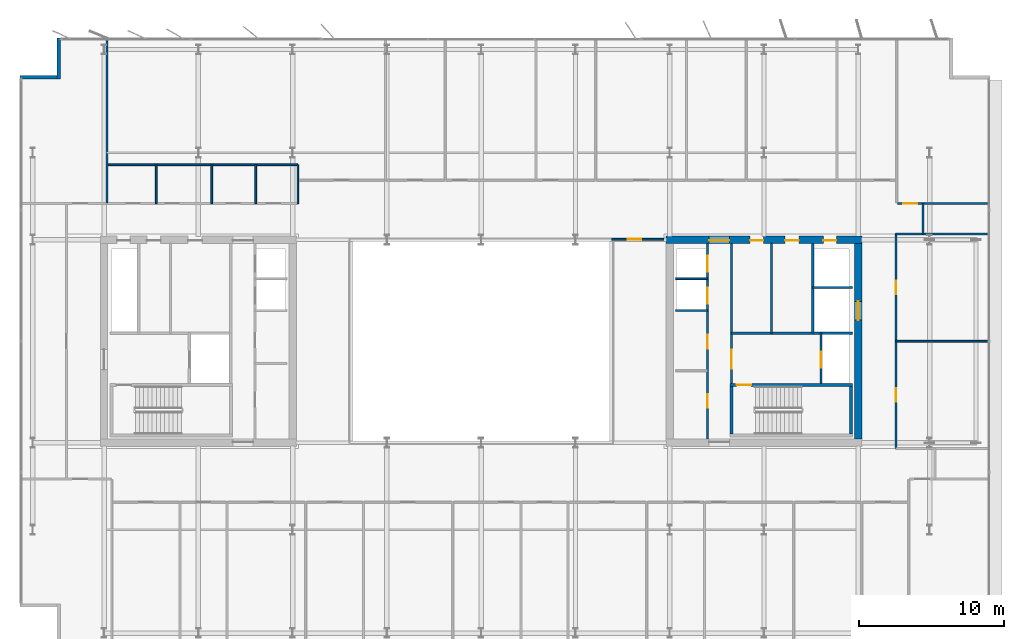
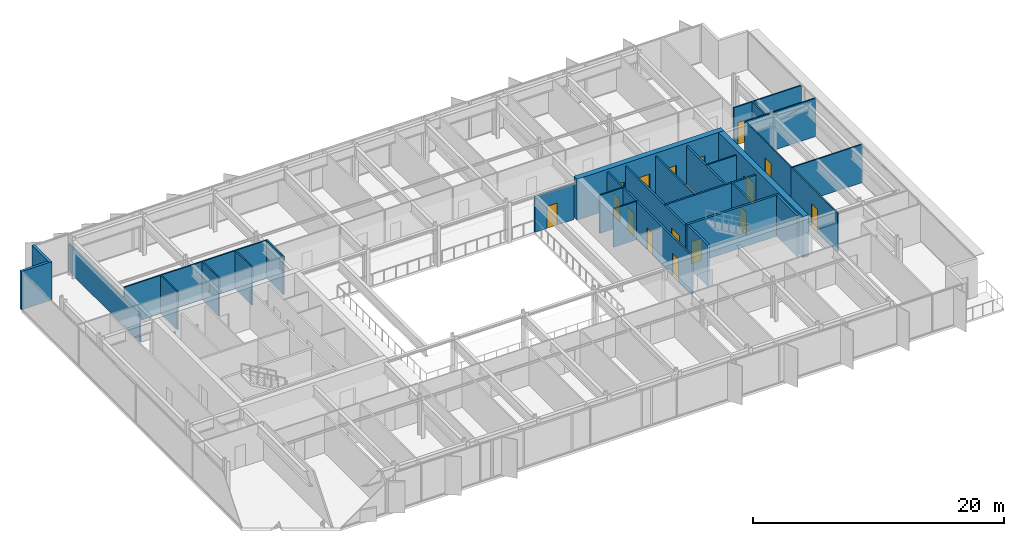
# One storey, part 15 of 20: 29 walls, 16 doors, 16 openings.
"""IFC4 building model written with IfcOpenShell, lengths in metres."""

import ifcopenshell
import ifcopenshell.guid

model = None  # the IFC model being written
_history = None  # IfcOwnerHistory: only IFC2X3 demands one
_inside = {}  # id of a spatial element -> (the spatial element, [elements in it])
_under = {}  # id of a project, library or spatial element -> (it, [spatial elements below it])
_declared = {}  # id of a project -> (the project, [libraries it declares])
_typed = {}  # id of a type object -> (the type object, [elements of that type])
_made_of = {}  # id of a material, layer set ... -> (it, [elements and type objects made of it])


def new_model(schema):
    """Start an empty IFC model of exactly this schema.

    Asked for "IFC4X3", IfcOpenShell would pick the latest addendum, in which some entities
    have other attributes; the version numbers below select the first issue.
    IFC2X3 requires an IfcOwnerHistory on every rooted entity: one is made here for all.
    """
    global model, _history
    if schema == "IFC4X3":
        model = ifcopenshell.file(schema_version=(4, 3, 0, 0))
    else:
        model = ifcopenshell.file(schema=schema)
    _inside.clear()
    _under.clear()
    _declared.clear()
    _typed.clear()
    _made_of.clear()
    _history = None
    if model.schema == "IFC2X3":
        org = make("IfcOrganization", Name="unknown")
        user = make(
            "IfcPersonAndOrganization",
            ThePerson=make("IfcPerson", FamilyName="unknown"),
            TheOrganization=org,
        )
        app = make(
            "IfcApplication",
            ApplicationDeveloper=org,
            Version="unknown",
            ApplicationFullName="unknown",
            ApplicationIdentifier="unknown",
        )
        _history = make(
            "IfcOwnerHistory",
            OwningUser=user,
            OwningApplication=app,
            ChangeAction="ADDED",
            CreationDate=0,
        )
    return model


def make(cls, **values):
    """One entity of the class cls with the attributes given. An attribute that is None is left unset."""
    return model.create_entity(
        cls, **{name: value for name, value in values.items() if value is not None}
    )


def rooted(cls, **values):
    """An entity with a GlobalId (a new one), such as an element, a storey or a relation."""
    return make(cls, GlobalId=ifcopenshell.guid.new(), OwnerHistory=_history, **values)


def si_unit(unit_type, name, prefix=None):
    """IfcSIUnit, for example si_unit("LENGTHUNIT", "METRE", prefix="MILLI")."""
    return make("IfcSIUnit", UnitType=unit_type, Prefix=prefix, Name=name)


def assignment(units):
    """IfcUnitAssignment: the units of a project."""
    return None if units is None else make("IfcUnitAssignment", Units=units)


def point(xyz):
    """IfcCartesianPoint."""
    return None if xyz is None else make("IfcCartesianPoint", Coordinates=xyz)


def direction(xyz):
    """IfcDirection."""
    return None if xyz is None else make("IfcDirection", DirectionRatios=xyz)


def frame(location, z_axis=None, x_axis=None):
    """IfcAxis2Placement3D, a coordinate frame: its origin and axes. An axis left out is left unset."""
    return make(
        "IfcAxis2Placement3D",
        Location=point(location),
        Axis=direction(z_axis),
        RefDirection=direction(x_axis),
    )


def frame_2d(location, x_axis=None):
    """IfcAxis2Placement2D, a coordinate frame in the plane: its origin and x axis."""
    return make(
        "IfcAxis2Placement2D", Location=point(location), RefDirection=direction(x_axis)
    )


def origin():
    """The frame at (0, 0, 0) with its axes left unset."""
    return frame((0.0, 0.0, 0.0))


def place(relative_to, where):
    """IfcLocalPlacement: puts the frame where relative to a parent placement (None: the world)."""
    return make(
        "IfcLocalPlacement", PlacementRelTo=relative_to, RelativePlacement=where
    )


def context(
    kind, dimensions, precision=None, world=None, true_north=None, identifier=None
):
    """IfcGeometricRepresentationContext, for example the 3D "Model" context."""
    return make(
        "IfcGeometricRepresentationContext",
        ContextIdentifier=identifier,
        ContextType=kind,
        CoordinateSpaceDimension=dimensions,
        Precision=precision,
        WorldCoordinateSystem=world,
        TrueNorth=true_north,
    )


def subcontext(parent, identifier, kind, view, scale=None):
    """IfcGeometricRepresentationSubContext, for example "Body" below "Model"."""
    return make(
        "IfcGeometricRepresentationSubContext",
        ContextIdentifier=identifier,
        ContextType=kind,
        ParentContext=parent,
        TargetScale=scale,
        TargetView=view,
    )


def project(units=None, contexts=None):
    """IfcProject with its units and contexts."""
    return rooted(
        "IfcProject",
        Name="project",
        RepresentationContexts=contexts,
        UnitsInContext=assignment(units),
    )


def spatial(cls, under=None, at=None, **own):
    """A site, building, storey or space (cls), placed at a placement, below another one or the project."""
    s = rooted(cls, ObjectPlacement=at, **own)
    if under is not None:
        _under.setdefault(under.id(), (under, []))[1].append(s)
    return s


def profile(cls, at=None, kind="AREA", **sizes):
    """A parametric profile (cls). Its sizes go by their IFC names, for example OverallWidth=200.0."""
    return make(cls, ProfileType=kind, Position=at, **sizes)


def rectangle(**sizes):
    """IfcRectangleProfileDef."""
    return profile("IfcRectangleProfileDef", **sizes)


def extrude(swept, where, along, depth):
    """IfcExtrudedAreaSolid: the profile swept, set in the frame where, extruded along a direction by depth."""
    return make(
        "IfcExtrudedAreaSolid",
        SweptArea=swept,
        Position=where,
        ExtrudedDirection=direction(along),
        Depth=depth,
    )


def shape(context_of_items, identifier, shape_type, items):
    """IfcShapeRepresentation: the items that make up one representation, for example the "Body"."""
    return make(
        "IfcShapeRepresentation",
        ContextOfItems=context_of_items,
        RepresentationIdentifier=identifier,
        RepresentationType=shape_type,
        Items=items,
    )


def material(Name=None, Category=None):
    """IfcMaterial."""
    return make("IfcMaterial", Name=Name, Category=Category)


def layer(
    of_material, thickness, ventilated=None, Name=None, Category=None, Priority=None
):
    """IfcMaterialLayer: one layer of a wall or slab, of a material (None: an air gap)."""
    return make(
        "IfcMaterialLayer",
        Material=of_material,
        LayerThickness=thickness,
        IsVentilated=ventilated,
        Name=Name,
        Category=Category,
        Priority=Priority,
    )


def layer_set(layers, Name=None):
    """IfcMaterialLayerSet."""
    return make("IfcMaterialLayerSet", MaterialLayers=layers, LayerSetName=Name)


def made_of(thing, what):
    """Note that an element or type object is made of a material, layer set ...; save() writes the relation."""
    if what is not None:
        _made_of.setdefault(what.id(), (what, []))[1].append(thing)
    return thing


def type_object(cls, material=None, **own):
    """A type object (cls), such as IfcWallType, which elements share."""
    return made_of(rooted(cls, **own), material)


def element(
    cls,
    number,
    at=None,
    inside=None,
    cuts=None,
    type_object=None,
    material=None,
    context=None,
    identifier="Body",
    shape_type=None,
    held_by="IfcProductDefinitionShape",
    body=None,
    shapes=None,
    **own,
):
    """One element of the class cls, such as IfcWall. Its Tag is "e" and its number.

    at: its placement. inside: the storey or other place that contains it. cuts: it is an
    opening in that element (IfcRelVoidsElement). A single representation is given by context,
    identifier, shape_type and body (its items); several are given by shapes. held_by: the class
    of the entity that holds the representations. save() writes the other relations.
    """
    e = rooted(cls, Tag="e%d" % number, ObjectPlacement=at, **own)
    if body is not None:
        shapes = [shape(context, identifier, shape_type, body)]
    if shapes is not None:
        e.Representation = make(held_by, Representations=shapes)
    if inside is not None:
        _inside.setdefault(inside.id(), (inside, []))[1].append(e)
    if cuts is not None:
        rooted(
            "IfcRelVoidsElement", RelatingBuildingElement=cuts, RelatedOpeningElement=e
        )
    if type_object is not None:
        _typed.setdefault(type_object.id(), (type_object, []))[1].append(e)
    return made_of(e, material)


def fill(opening, filler):
    """IfcRelFillsElement: the door or window that sits in an opening."""
    return rooted(
        "IfcRelFillsElement",
        RelatingOpeningElement=opening,
        RelatedBuildingElement=filler,
    )


def aggregate(whole, parts):
    """IfcRelAggregates: a whole, such as a stair, and the parts it consists of."""
    return rooted("IfcRelAggregates", RelatingObject=whole, RelatedObjects=parts)


def save(model, path):
    """Write the relations noted so far, then the file.

    IfcRelAggregates (storeys below a building ...), IfcRelContainedInSpatialStructure (elements
    in a storey), IfcRelDefinesByType, IfcRelAssociatesMaterial and IfcRelDeclares: one each for
    every whole, place, type object, material and project.
    """
    for whole, parts in _under.values():
        aggregate(whole, parts)
    for where, things in _inside.values():
        rooted(
            "IfcRelContainedInSpatialStructure",
            RelatedElements=things,
            RelatingStructure=where,
        )
    for kind, things in _typed.values():
        rooted("IfcRelDefinesByType", RelatedObjects=things, RelatingType=kind)
    for what, things in _made_of.values():
        rooted("IfcRelAssociatesMaterial", RelatedObjects=things, RelatingMaterial=what)
    for by, libraries in _declared.values():
        rooted("IfcRelDeclares", RelatingContext=by, RelatedDefinitions=libraries)
    model.write(path)


model = new_model("IFC4")

# Units and contexts
model_context = context("Model", 3, precision=1e-05, world=origin(), true_north=direction((0.0, 1.0)))
body_context = subcontext(model_context, "Body", "Model", "MODEL_VIEW")
ifc_project = project(units=[si_unit("LENGTHUNIT", "METRE"), si_unit("AREAUNIT", "SQUARE_METRE"), si_unit("VOLUMEUNIT", "CUBIC_METRE"), si_unit("PLANEANGLEUNIT", "RADIAN"), si_unit("MASSUNIT", "GRAM", prefix="KILO")], contexts=[model_context])

# Site, building, storey
site_placement = place(None, origin())
site = spatial("IfcSite", under=ifc_project, at=site_placement, CompositionType="ELEMENT")
building_placement = place(site_placement, origin())
building = spatial("IfcBuilding", under=site, at=building_placement, Name="Putna Gate Headquarters", CompositionType="ELEMENT")
storey_placement = place(building_placement, frame((0.0, 0.0, 306.39990234375)))
storey = spatial("IfcBuildingStorey", under=building, at=storey_placement, Name="L77", CompositionType="ELEMENT", Elevation=306.39990234375)

# Wall, openings, doors
ifc_material_1 = material(Name="Concrete C50/60", Category="concrete")
ifc_layer_1 = layer(ifc_material_1, 0.5)
ifc_layer_set_1 = layer_set([ifc_layer_1], Name="Concrete C50/60")
wall_type_1 = type_object("IfcWallType", Name="WALL-CORE-500", PredefinedType="SHEAR", material=ifc_layer_set_1)
wall_1_placement = place(storey_placement, frame((51.75, 33.0, 0.0), z_axis=(0.0, 0.0, 1.0), x_axis=(1.0, 0.0, 0.0)))
wall_1 = element("IfcWall", 1, at=wall_1_placement, inside=storey, type_object=wall_type_1, Name="L77 EC Split Core Shear Wall N", PredefinedType="SHEAR", context=body_context, shape_type="SweptSolid", body=[
    extrude(rectangle(XDim=13.5, YDim=0.5, at=frame_2d((6.75, 0.0))), origin(), (0.0, 0.0, 1.0), 4.0),
])
opening_1_placement = place(wall_1_placement, frame((2.969970703125, 0.0, 0.0)))
opening_1 = element("IfcOpeningElement", 2, at=opening_1_placement, cuts=wall_1, Name="Opening FDD-140", PredefinedType="OPENING", context=body_context, shape_type="SweptSolid", body=[
    extrude(rectangle(XDim=1.39990234375, YDim=2.199951171875, at=frame_2d((0.699951171875, 1.10009765625))), frame((0.0, 0.260009765625, 0.0), z_axis=(0.0, -1.0, 0.0), x_axis=(1.0, 0.0, 0.0)), (0.0, 0.0, 1.0), 0.52001953125),
])
opening_2_placement = place(wall_1_placement, frame((10.85009765625, 0.0, 0.0)))
opening_2 = element("IfcOpeningElement", 3, at=opening_2_placement, cuts=wall_1, Name="Opening RD-90", PredefinedType="OPENING", context=body_context, shape_type="SweptSolid", body=[
    extrude(rectangle(XDim=0.89990234375, YDim=2.14990234375, at=frame_2d((0.449951171875, 1.074951171875))), frame((0.0, 0.260009765625, 0.0), z_axis=(0.0, -1.0, 0.0), x_axis=(1.0, 0.0, 0.0)), (0.0, 0.0, 1.0), 0.52001953125),
])
opening_3_placement = place(wall_1_placement, frame((5.800048828125, 0.0, 0.0)))
opening_3 = element("IfcOpeningElement", 4, at=opening_3_placement, cuts=wall_1, Name="Opening IDS-90", PredefinedType="OPENING", context=body_context, shape_type="SweptSolid", body=[
    extrude(rectangle(XDim=0.89990234375, YDim=2.14990234375, at=frame_2d((0.449951171875, 1.074951171875))), frame((0.0, 0.260009765625, 0.0), z_axis=(0.0, -1.0, 0.0), x_axis=(1.0, 0.0, 0.0)), (0.0, 0.0, 1.0), 0.52001953125),
])
opening_4_placement = place(wall_1_placement, frame((8.199951171875, 0.0, 0.0)))
opening_4 = element("IfcOpeningElement", 5, at=opening_4_placement, cuts=wall_1, Name="Opening IDS-95", PredefinedType="OPENING", context=body_context, shape_type="SweptSolid", body=[
    extrude(rectangle(XDim=0.949951171875, YDim=2.14990234375, at=frame_2d((0.47509765625, 1.074951171875))), frame((0.0, 0.260009765625, 0.0), z_axis=(0.0, -1.0, 0.0), x_axis=(1.0, 0.0, 0.0)), (0.0, 0.0, 1.0), 0.52001953125),
])
ifc_material_2 = material(Name="Double steel fire door", Category="steel")
door_type_1 = type_object("IfcDoorType", Name="DOOR-FIRE-DBL-1400", OperationType="DOUBLE_DOOR_SINGLE_SWING", PredefinedType="DOOR", material=ifc_material_2)
door_1_placement = place(opening_1_placement, origin())
door_1 = element("IfcDoor", 6, at=door_1_placement, inside=storey, type_object=door_type_1, Name="L77 East Lift Lobby North Door", OperationType="DOUBLE_DOOR_SINGLE_SWING", OverallHeight=2.199951171875, OverallWidth=1.39990234375, PredefinedType="DOOR", context=body_context, shape_type="SweptSolid", body=[
    extrude(rectangle(XDim=1.39990234375, YDim=2.199951171875, at=frame_2d((0.699951171875, 1.10009765625))), frame((0.0, -0.02490234375, 0.0), z_axis=(0.0, -1.0, 0.0), x_axis=(1.0, 0.0, 0.0)), (0.0, 0.0, 1.0), 0.050048828125),
])
fill(opening_1, door_1)
ifc_material_3 = material(Name="Fire-rated utility door")
door_type_2 = type_object("IfcDoorType", Name="DOOR-INT-900", OperationType="NOTDEFINED", PredefinedType="DOOR", material=ifc_material_3)
door_2_placement = place(opening_3_placement, origin())
door_2 = element("IfcDoor", 7, at=door_2_placement, inside=storey, type_object=door_type_2, Name="L77 Telecoms Plant Door", OperationType="SINGLE_SWING_LEFT", OverallHeight=2.14990234375, OverallWidth=0.89990234375, PredefinedType="DOOR", context=body_context, shape_type="SweptSolid", body=[
    extrude(rectangle(XDim=0.89990234375, YDim=2.14990234375, at=frame_2d((0.449951171875, 1.074951171875))), frame((0.0, -0.02490234375, 0.0), z_axis=(0.0, -1.0, 0.0), x_axis=(1.0, 0.0, 0.0)), (0.0, 0.0, 1.0), 0.050048828125),
])
fill(opening_3, door_2)
ifc_material_4 = material(Name="Fire-rated service timber door", Category="wood")
door_type_3 = type_object("IfcDoorType", Name="DOOR-INT-950", OperationType="NOTDEFINED", PredefinedType="DOOR", material=ifc_material_4)
door_3_placement = place(opening_4_placement, origin())
door_3 = element("IfcDoor", 8, at=door_3_placement, inside=storey, type_object=door_type_3, Name="L77 Supplies Store Door", OperationType="SINGLE_SWING_RIGHT", OverallHeight=2.14990234375, OverallWidth=0.949951171875, PredefinedType="DOOR", context=body_context, shape_type="SweptSolid", body=[
    extrude(rectangle(XDim=0.949951171875, YDim=2.14990234375, at=frame_2d((0.47509765625, 1.074951171875))), frame((0.0, -0.02490234375, 0.0), z_axis=(0.0, -1.0, 0.0), x_axis=(1.0, 0.0, 0.0)), (0.0, 0.0, 1.0), 0.050048828125),
])
fill(opening_4, door_3)
ifc_material_5 = material(Name="Steel riser access fire door", Category="steel")
door_type_4 = type_object("IfcDoorType", Name="DOOR-RISER-900", OperationType="NOTDEFINED", PredefinedType="DOOR", material=ifc_material_5)
door_4_placement = place(opening_2_placement, origin())
door_4 = element("IfcDoor", 9, at=door_4_placement, inside=storey, type_object=door_type_4, Name="L77 East Riser Access Door", OperationType="SINGLE_SWING_LEFT", OverallHeight=2.14990234375, OverallWidth=0.89990234375, PredefinedType="DOOR", context=body_context, shape_type="SweptSolid", body=[
    extrude(rectangle(XDim=0.89990234375, YDim=2.14990234375, at=frame_2d((0.449951171875, 1.074951171875))), frame((0.0, -0.02490234375, 0.0), z_axis=(0.0, -1.0, 0.0), x_axis=(1.0, 0.0, 0.0)), (0.0, 0.0, 1.0), 0.050048828125),
])
fill(opening_2, door_4)

# Wall, opening, door
wall_2_placement = place(storey_placement, frame((65.0, 19.25, 0.0), z_axis=(0.0, 0.0, 1.0), x_axis=(0.0, 1.0, 0.0)))
wall_2 = element("IfcWall", 10, at=wall_2_placement, inside=storey, type_object=wall_type_1, Name="L77 EC Split Core Shear Wall E", PredefinedType="SHEAR", context=body_context, shape_type="SweptSolid", body=[
    extrude(rectangle(XDim=13.5, YDim=0.5, at=frame_2d((6.75, 0.0))), origin(), (0.0, 0.0, 1.0), 4.0),
])
opening_5_placement = place(wall_2_placement, frame((8.199951171875, 0.0, 0.0)))
opening_5 = element("IfcOpeningElement", 11, at=opening_5_placement, cuts=wall_2, Name="Opening LD-2", PredefinedType="OPENING", context=body_context, shape_type="SweptSolid", body=[
    extrude(rectangle(XDim=1.300048828125, YDim=2.199951171875, at=frame_2d((0.64990234375, 1.10009765625))), frame((0.0, 0.260009765625, 0.0), z_axis=(0.0, -1.0, 0.0), x_axis=(1.0, 0.0, 0.0)), (0.0, 0.0, 1.0), 0.52001953125),
])
ifc_material_6 = material(Name="Heavy-duty goods lift sliding landing door")
door_type_5 = type_object("IfcDoorType", Name="DOOR-LIFT-1300", OperationType="DOUBLE_DOOR_SLIDING", PredefinedType="DOOR", material=ifc_material_6)
door_5_placement = place(opening_5_placement, origin())
door_5 = element("IfcDoor", 12, at=door_5_placement, inside=storey, type_object=door_type_5, Name="L77 Goods Lift Landing Door LD-15", OperationType="DOUBLE_DOOR_SLIDING", OverallHeight=2.199951171875, OverallWidth=1.300048828125, PredefinedType="DOOR", context=body_context, shape_type="SweptSolid", body=[
    extrude(rectangle(XDim=1.300048828125, YDim=2.199951171875, at=frame_2d((0.64990234375, 1.10009765625))), frame((0.0, 0.02490234375, 0.0), z_axis=(0.0, -1.0, 0.0), x_axis=(1.0, 0.0, 0.0)), (0.0, 0.0, 1.0), 0.050048828125),
])
fill(opening_5, door_5)

# Walls
ifc_material_7 = material(Name="Precast concrete C40/50", Category="concrete")
ifc_layer_2 = layer(ifc_material_7, 0.239990234375)
ifc_layer_set_2 = layer_set([ifc_layer_2], Name="Precast concrete C40/50")
wall_type_2 = type_object("IfcWallType", Name="WALL-EXT-TERR-240", PredefinedType="STANDARD", material=ifc_layer_set_2)
wall_3_placement = place(storey_placement, frame((9.8798828125, 44.10009765625, 0.0), z_axis=(0.0, 0.0, 1.0), x_axis=(0.0, 1.0, 0.0)))
element("IfcWall", 13, at=wall_3_placement, inside=storey, type_object=wall_type_2, Name="L77 Corner Notch Return Wall NW-V", PredefinedType="STANDARD", context=body_context, shape_type="SweptSolid", body=[
    extrude(rectangle(XDim=2.7998046875, YDim=0.239990234375, at=frame_2d((1.39990234375, 0.0))), origin(), (0.0, 0.0, 1.0), 3.72021484375),
])
wall_4_placement = place(storey_placement, frame((7.199951171875, 44.219970703125, 0.0), z_axis=(0.0, 0.0, 1.0), x_axis=(1.0, 0.0, 0.0)))
element("IfcWall", 14, at=wall_4_placement, inside=storey, type_object=wall_type_2, Name="L77 Corner Notch Return Wall NW-H", PredefinedType="STANDARD", context=body_context, shape_type="SweptSolid", body=[
    extrude(rectangle(XDim=2.800048828125, YDim=0.239990234375, at=frame_2d((1.39990234375, 0.0))), origin(), (0.0, 0.0, 1.0), 3.72021484375),
])

# Wall, opening, door
ifc_material_8 = material(Name="Acoustic gypsum board on metal stud")
ifc_layer_3 = layer(ifc_material_8, 0.1201171875)
ifc_layer_set_3 = layer_set([ifc_layer_3], Name="Acoustic gypsum board on metal stud")
wall_type_3 = type_object("IfcWallType", Name="WALL-PART-120", PredefinedType="PARTITIONING", material=ifc_layer_set_3)
wall_5_placement = place(storey_placement, frame((48.0, 33.0400390625, 0.0), z_axis=(0.0, 0.0, 1.0), x_axis=(1.0, 0.0, 0.0)))
wall_5 = element("IfcWall", 15, at=wall_5_placement, inside=storey, type_object=wall_type_3, Name="L77 Interior Wall PART-L77-ATR-E-N", PredefinedType="PARTITIONING", context=body_context, shape_type="SweptSolid", body=[
    extrude(rectangle(XDim=3.60009765625, YDim=0.1201171875, at=frame_2d((1.800048828125, 0.0))), origin(), (0.0, 0.0, 1.0), 3.460205078125),
])
opening_6_placement = place(wall_5_placement, frame((1.10009765625, 0.0, 0.0)))
opening_6 = element("IfcOpeningElement", 16, at=opening_6_placement, cuts=wall_5, Name="Opening ID-95", PredefinedType="OPENING", context=body_context, shape_type="SweptSolid", body=[
    extrude(rectangle(XDim=0.949951171875, YDim=2.14990234375, at=frame_2d((0.47509765625, 1.074951171875))), frame((0.0, 0.070068359375, 0.0), z_axis=(0.0, -1.0, 0.0), x_axis=(1.0, 0.0, 0.0)), (0.0, 0.0, 1.0), 0.14013671875),
])
ifc_material_9 = material(Name="Veneered acoustic timber door", Category="wood")
door_type_6 = type_object("IfcDoorType", Name="DOOR-OFF-950", OperationType="NOTDEFINED", PredefinedType="DOOR", material=ifc_material_9)
door_6_placement = place(opening_6_placement, origin())
door_6 = element("IfcDoor", 17, at=door_6_placement, inside=storey, type_object=door_type_6, Name="L77 East Sky Atrium Lounge Door", OperationType="SINGLE_SWING_LEFT", OverallHeight=2.14990234375, OverallWidth=0.949951171875, PredefinedType="DOOR", context=body_context, shape_type="SweptSolid", body=[
    extrude(rectangle(XDim=0.949951171875, YDim=2.14990234375, at=frame_2d((0.47509765625, 1.074951171875))), frame((0.0, 0.02490234375, 0.0), z_axis=(0.0, -1.0, 0.0), x_axis=(1.0, 0.0, 0.0)), (0.0, 0.0, 1.0), 0.050048828125),
])
fill(opening_6, door_6)

# Walls
wall_6_placement = place(storey_placement, frame((13.199951171875, 35.56005859375, 0.0), z_axis=(0.0, 0.0, 1.0), x_axis=(0.0, 1.0, 0.0)))
element("IfcWall", 18, at=wall_6_placement, inside=storey, type_object=wall_type_3, Name="L77 Interior Wall PART-L77-NB-DIV-01", PredefinedType="PARTITIONING", context=body_context, shape_type="SweptSolid", body=[
    extrude(rectangle(XDim=11.31982421875, YDim=0.1201171875, at=frame_2d((5.659912109375, 0.0))), origin(), (0.0, 0.0, 1.0), 2.712158203125),
])
wall_7_placement = place(storey_placement, frame((67.60009765625, 26.0, 0.0), z_axis=(0.0, 0.0, 1.0), x_axis=(1.0, 0.0, 0.0)))
element("IfcWall", 19, at=wall_7_placement, inside=storey, type_object=wall_type_3, Name="L77 Interior Wall PART-L77-EW-DIV-1", PredefinedType="PARTITIONING", context=body_context, shape_type="SweptSolid", body=[
    extrude(rectangle(XDim=6.47998046875, YDim=0.1201171875, at=frame_2d((3.239990234375, 0.0))), origin(), (0.0, 0.0, 1.0), 3.72021484375),
])
ifc_material_10 = material(Name="Fire-rated shaftwall gypsum board on metal stud")
ifc_layer_4 = layer(ifc_material_10, 0.1201171875)
ifc_layer_set_4 = layer_set([ifc_layer_4], Name="Fire-rated shaftwall gypsum board on metal stud")
wall_type_4 = type_object("IfcWallType", Name="WALL-PART-120-EI120", PredefinedType="PARTITIONING", material=ifc_layer_set_4)
wall_8_placement = place(storey_placement, frame((52.39990234375, 30.31005859375, 0.0), z_axis=(0.0, 0.0, 1.0), x_axis=(1.0, 0.0, 0.0)))
element("IfcWall", 20, at=wall_8_placement, inside=storey, type_object=wall_type_4, Name="L77 Interior Wall CWINT-L77-EC-LF11-DIV", PredefinedType="PARTITIONING", context=body_context, shape_type="SweptSolid", body=[
    extrude(rectangle(XDim=2.2001953125, YDim=0.1201171875, at=frame_2d((1.10009765625, 0.0))), origin(), (0.0, 0.0, 1.0), 3.72021484375),
])
wall_9_placement = place(storey_placement, frame((61.8701171875, 29.699951171875, 0.0), z_axis=(0.0, 0.0, 1.0), x_axis=(1.0, 0.0, 0.0)))
element("IfcWall", 21, at=wall_9_placement, inside=storey, type_object=wall_type_4, Name="L77 Interior Wall CWINT-L77-EC-LF15-N", PredefinedType="PARTITIONING", context=body_context, shape_type="SweptSolid", body=[
    extrude(rectangle(XDim=2.72998046875, YDim=0.1201171875, at=frame_2d((1.364990234375, 0.0))), origin(), (0.0, 0.0, 1.0), 3.72021484375),
])
ifc_material_11 = material(Name="Fire-rated gypsum board on metal stud")
ifc_layer_5 = layer(ifc_material_11, 0.1201171875)
ifc_layer_set_5 = layer_set([ifc_layer_5], Name="Fire-rated gypsum board on metal stud")
wall_type_5 = type_object("IfcWallType", Name="WALL-PART-120-RATED", PredefinedType="PARTITIONING", material=ifc_layer_set_5)
wall_10_placement = place(storey_placement, frame((52.39990234375, 28.1201171875, 0.0), z_axis=(0.0, 0.0, 1.0), x_axis=(1.0, 0.0, 0.0)))
element("IfcWall", 22, at=wall_10_placement, inside=storey, type_object=wall_type_5, Name="L77 Interior Wall CWINT-L77-EC-LF08-DIV", PredefinedType="PARTITIONING", context=body_context, shape_type="SweptSolid", body=[
    extrude(rectangle(XDim=2.2001953125, YDim=0.1201171875, at=frame_2d((1.10009765625, 0.0))), origin(), (0.0, 0.0, 1.0), 3.72021484375),
])
wall_11_placement = place(storey_placement, frame((59.02001953125, 26.56005859375, 0.0), z_axis=(0.0, 0.0, 1.0), x_axis=(0.0, 1.0, 0.0)))
element("IfcWall", 23, at=wall_11_placement, inside=storey, type_object=wall_type_5, Name="L77 Interior Wall CWINT-L77-EC-K1-DIV", PredefinedType="PARTITIONING", context=body_context, shape_type="SweptSolid", body=[
    extrude(rectangle(XDim=6.18994140625, YDim=0.1201171875, at=frame_2d((3.094970703125, 0.0))), origin(), (0.0, 0.0, 1.0), 3.72021484375),
])
wall_12_placement = place(storey_placement, frame((69.46142578125, 33.39990234375, 0.0), z_axis=(0.0, 0.0, 1.0), x_axis=(0.0, 1.0, 0.0)))
element("IfcWall", 24, at=wall_12_placement, inside=storey, type_object=wall_type_5, Name="L77 Interior Wall PART-L77-CORRN-CAPE", PredefinedType="PARTITIONING", context=body_context, shape_type="SweptSolid", body=[
    extrude(rectangle(XDim=2.10009765625, YDim=0.1201171875, at=frame_2d((1.050048828125, 0.0))), origin(), (0.0, 0.0, 1.0), 3.72021484375),
])
wall_13_placement = place(storey_placement, frame((13.199951171875, 38.179931640625, 0.0), z_axis=(0.0, 0.0, 1.0), x_axis=(1.0, 0.0, 0.0)))
element("IfcWall", 25, at=wall_13_placement, inside=storey, type_object=wall_type_5, Name="L77 Interior Wall PART-L77-SAN-BACK", PredefinedType="PARTITIONING", context=body_context, shape_type="SweptSolid", body=[
    extrude(rectangle(XDim=13.16015625, YDim=0.1201171875, at=frame_2d((6.580078125, 0.0))), origin(), (0.0, 0.0, 1.0), 3.72021484375),
])
for number, where, z_axis, x_axis, name in (
    (26, (16.60009765625, 35.5, 0.0), (0.0, 0.0, 1.0), (0.0, 1.0, 0.0), "L77 Interior Wall PART-L77-SAN-DIV-1"),
    (27, (20.419921875, 35.5, 0.0), (0.0, 0.0, 1.0), (0.0, 1.0, 0.0), "L77 Interior Wall PART-L77-SAN-DIV-2"),
    (28, (23.4599609375, 35.5, 0.0), (0.0, 0.0, 1.0), (0.0, 1.0, 0.0), "L77 Interior Wall PART-L77-SAN-DIV-3"),
    (29, (26.360107421875, 35.5, 0.0), (0.0, 0.0, 1.0), (0.0, 1.0, 0.0), "L77 Interior Wall PART-L77-SAN-DIV-4"),
):
    element("IfcWall", number, at=place(storey_placement, frame(where, z_axis=z_axis, x_axis=x_axis)), inside=storey, type_object=wall_type_5, Name=name, PredefinedType="PARTITIONING", context=body_context, shape_type="SweptSolid", body=[
        extrude(rectangle(XDim=2.679931640625, YDim=0.1201171875, at=frame_2d((1.33984375, 0.0))), origin(), (0.0, 0.0, 1.0), 3.72021484375),
    ])

# Wall, opening, door
wall_14_placement = place(storey_placement, frame((67.721435546875, 35.5, 0.0), z_axis=(0.0, 0.0, 1.0), x_axis=(1.0, 0.0, 0.0)))
wall_14 = element("IfcWall", 30, at=wall_14_placement, inside=storey, type_object=wall_type_5, Name="L77 Interior Wall PART-L77-NB-CW-10", PredefinedType="PARTITIONING", context=body_context, shape_type="SweptSolid", body=[
    extrude(rectangle(XDim=6.198486328125, YDim=0.1201171875, at=frame_2d((3.09912109375, 0.0))), origin(), (0.0, 0.0, 1.0), 3.72021484375),
])
opening_7_placement = place(wall_14_placement, frame((0.39501953125, 0.0, 0.0)))
opening_7 = element("IfcOpeningElement", 31, at=opening_7_placement, cuts=wall_14, Name="Opening FD-95", PredefinedType="OPENING", context=body_context, shape_type="SweptSolid", body=[
    extrude(rectangle(XDim=0.949951171875, YDim=2.14990234375, at=frame_2d((0.47509765625, 1.074951171875))), frame((0.0, 0.070068359375, 0.0), z_axis=(0.0, -1.0, 0.0), x_axis=(1.0, 0.0, 0.0)), (0.0, 0.0, 1.0), 0.14013671875),
])
ifc_material_12 = material(Name="Acoustic timber fire door", Category="wood")
door_type_7 = type_object("IfcDoorType", Name="DOOR-FIRE-950", OperationType="NOTDEFINED", PredefinedType="DOOR", material=ifc_material_12)
door_7_placement = place(opening_7_placement, origin())
door_7 = element("IfcDoor", 32, at=door_7_placement, inside=storey, type_object=door_type_7, Name="L77 Cellular Office 5 Door", OperationType="SINGLE_SWING_LEFT", OverallHeight=2.14990234375, OverallWidth=0.949951171875, PredefinedType="DOOR", context=body_context, shape_type="SweptSolid", body=[
    extrude(rectangle(XDim=0.949951171875, YDim=2.14990234375, at=frame_2d((0.47509765625, 1.074951171875))), frame((0.0, 0.02490234375, 0.0), z_axis=(0.0, -1.0, 0.0), x_axis=(1.0, 0.0, 0.0)), (0.0, 0.0, 1.0), 0.050048828125),
])
fill(opening_7, door_7)

# Wall
wall_15_placement = place(storey_placement, frame((67.60009765625, 33.39990234375, 0.0), z_axis=(0.0, 0.0, 1.0), x_axis=(1.0, 0.0, 0.0)))
element("IfcWall", 33, at=wall_15_placement, inside=storey, type_object=wall_type_5, Name="L77 Interior Wall PART-L77-EW-N-BOUND", PredefinedType="PARTITIONING", context=body_context, shape_type="SweptSolid", body=[
    extrude(rectangle(XDim=6.47998046875, YDim=0.1201171875, at=frame_2d((3.239990234375, 0.0))), origin(), (0.0, 0.0, 1.0), 3.72021484375),
])

# Wall, opening, door
wall_16_placement = place(storey_placement, frame((67.60009765625, 18.60009765625, 0.0), z_axis=(0.0, 0.0, 1.0), x_axis=(0.0, 1.0, 0.0)))
wall_16 = element("IfcWall", 34, at=wall_16_placement, inside=storey, type_object=wall_type_5, Name="L77 Interior Wall PART-L77-EW-CW-1", PredefinedType="PARTITIONING", context=body_context, shape_type="SweptSolid", body=[
    extrude(rectangle(XDim=7.39990234375, YDim=0.1201171875, at=frame_2d((3.699951171875, 0.0))), origin(), (0.0, 0.0, 1.0), 3.72021484375),
])
opening_8_placement = place(wall_16_placement, frame((3.22509765625, 0.0, 0.0)))
opening_8 = element("IfcOpeningElement", 35, at=opening_8_placement, cuts=wall_16, Name="Opening FD-95", PredefinedType="OPENING", context=body_context, shape_type="SweptSolid", body=[
    extrude(rectangle(XDim=0.949951171875, YDim=2.14990234375, at=frame_2d((0.47509765625, 1.074951171875))), frame((0.0, 0.070068359375, 0.0), z_axis=(0.0, -1.0, 0.0), x_axis=(1.0, 0.0, 0.0)), (0.0, 0.0, 1.0), 0.14013671875),
])
door_8_placement = place(opening_8_placement, origin())
door_8 = element("IfcDoor", 36, at=door_8_placement, inside=storey, type_object=door_type_7, Name="L77 East Advisory Office 1 Door", OperationType="SINGLE_SWING_LEFT", OverallHeight=2.14990234375, OverallWidth=0.949951171875, PredefinedType="DOOR", context=body_context, shape_type="SweptSolid", body=[
    extrude(rectangle(XDim=0.949951171875, YDim=2.14990234375, at=frame_2d((0.47509765625, 1.074951171875))), frame((0.0, 0.02490234375, 0.0), z_axis=(0.0, -1.0, 0.0), x_axis=(1.0, 0.0, 0.0)), (0.0, 0.0, 1.0), 0.050048828125),
])
fill(opening_8, door_8)

wall_17_placement = place(storey_placement, frame((67.60009765625, 26.0, 0.0), z_axis=(0.0, 0.0, 1.0), x_axis=(0.0, 1.0, 0.0)))
wall_17 = element("IfcWall", 37, at=wall_17_placement, inside=storey, type_object=wall_type_5, Name="L77 Interior Wall PART-L77-EW-CW-2", PredefinedType="PARTITIONING", context=body_context, shape_type="SweptSolid", body=[
    extrude(rectangle(XDim=7.39990234375, YDim=0.1201171875, at=frame_2d((3.699951171875, 0.0))), origin(), (0.0, 0.0, 1.0), 3.72021484375),
])
opening_9_placement = place(wall_17_placement, frame((3.22509765625, 0.0, 0.0)))
opening_9 = element("IfcOpeningElement", 38, at=opening_9_placement, cuts=wall_17, Name="Opening FD-95", PredefinedType="OPENING", context=body_context, shape_type="SweptSolid", body=[
    extrude(rectangle(XDim=0.949951171875, YDim=2.14990234375, at=frame_2d((0.47509765625, 1.074951171875))), frame((0.0, 0.070068359375, 0.0), z_axis=(0.0, -1.0, 0.0), x_axis=(1.0, 0.0, 0.0)), (0.0, 0.0, 1.0), 0.14013671875),
])
door_9_placement = place(opening_9_placement, origin())
door_9 = element("IfcDoor", 39, at=door_9_placement, inside=storey, type_object=door_type_7, Name="L77 East Horizon Conference Room 2 Door", OperationType="SINGLE_SWING_RIGHT", OverallHeight=2.14990234375, OverallWidth=0.949951171875, PredefinedType="DOOR", context=body_context, shape_type="SweptSolid", body=[
    extrude(rectangle(XDim=0.949951171875, YDim=2.14990234375, at=frame_2d((0.47509765625, 1.074951171875))), frame((0.0, 0.02490234375, 0.0), z_axis=(0.0, -1.0, 0.0), x_axis=(1.0, 0.0, 0.0)), (0.0, 0.0, 1.0), 0.050048828125),
])
fill(opening_9, door_9)

# Wall, openings, doors
ifc_material_13 = material(Name="Concrete C40/50", Category="concrete")
ifc_layer_6 = layer(ifc_material_13, 0.159912109375)
ifc_layer_set_6 = layer_set([ifc_layer_6], Name="Concrete C40/50")
wall_type_6 = type_object("IfcWallType", Name="WALL-SHAFT-160", PredefinedType="STANDARD", material=ifc_layer_set_6)
wall_18_placement = place(storey_placement, frame((54.60009765625, 19.25, 0.0), z_axis=(0.0, 0.0, 1.0), x_axis=(0.0, 1.0, 0.0)))
wall_18 = element("IfcWall", 40, at=wall_18_placement, inside=storey, type_object=wall_type_6, Name="L77 Interior Wall CWINT-L77-EC-PL-WALL", PredefinedType="STANDARD", context=body_context, shape_type="SweptSolid", body=[
    extrude(rectangle(XDim=13.5, YDim=0.159912109375, at=frame_2d((6.75, 0.0))), origin(), (0.0, 0.0, 1.0), 3.72021484375),
])
opening_10_placement = place(wall_18_placement, frame((2.14990234375, 0.0, 0.0)))
opening_10 = element("IfcOpeningElement", 41, at=opening_10_placement, cuts=wall_18, Name="Opening IDS-95", PredefinedType="OPENING", context=body_context, shape_type="SweptSolid", body=[
    extrude(rectangle(XDim=0.949951171875, YDim=2.14990234375, at=frame_2d((0.47509765625, 1.074951171875))), frame((0.0, 0.08984375, 0.0), z_axis=(0.0, -1.0, 0.0), x_axis=(1.0, 0.0, 0.0)), (0.0, 0.0, 1.0), 0.179931640625),
])
opening_11_placement = place(wall_18_placement, frame((6.25, 0.0, 0.0)))
opening_11 = element("IfcOpeningElement", 42, at=opening_11_placement, cuts=wall_18, Name="Opening IDS-95", PredefinedType="OPENING", context=body_context, shape_type="SweptSolid", body=[
    extrude(rectangle(XDim=0.949951171875, YDim=2.14990234375, at=frame_2d((0.47509765625, 1.074951171875))), frame((0.0, 0.08984375, 0.0), z_axis=(0.0, -1.0, 0.0), x_axis=(1.0, 0.0, 0.0)), (0.0, 0.0, 1.0), 0.179931640625),
])
opening_12_placement = place(wall_18_placement, frame((9.35009765625, 0.0, 0.0)))
opening_12 = element("IfcOpeningElement", 43, at=opening_12_placement, cuts=wall_18, Name="Opening LD-1", PredefinedType="OPENING", context=body_context, shape_type="SweptSolid", body=[
    extrude(rectangle(XDim=1.10009765625, YDim=2.199951171875, at=frame_2d((0.550048828125, 1.10009765625))), frame((0.0, 0.08984375, 0.0), z_axis=(0.0, -1.0, 0.0), x_axis=(1.0, 0.0, 0.0)), (0.0, 0.0, 1.0), 0.179931640625),
])
opening_13_placement = place(wall_18_placement, frame((11.550048828125, 0.0, 0.0)))
opening_13 = element("IfcOpeningElement", 44, at=opening_13_placement, cuts=wall_18, Name="Opening LD-1", PredefinedType="OPENING", context=body_context, shape_type="SweptSolid", body=[
    extrude(rectangle(XDim=1.10009765625, YDim=2.199951171875, at=frame_2d((0.550048828125, 1.10009765625))), frame((0.0, 0.08984375, 0.0), z_axis=(0.0, -1.0, 0.0), x_axis=(1.0, 0.0, 0.0)), (0.0, 0.0, 1.0), 0.179931640625),
])
door_10_placement = place(opening_10_placement, origin())
door_10 = element("IfcDoor", 45, at=door_10_placement, inside=storey, type_object=door_type_3, Name="L77 Executive Archive Door", OperationType="SINGLE_SWING_RIGHT", OverallHeight=2.14990234375, OverallWidth=0.949951171875, PredefinedType="DOOR", context=body_context, shape_type="SweptSolid", body=[
    extrude(rectangle(XDim=0.949951171875, YDim=2.14990234375, at=frame_2d((0.47509765625, 1.074951171875))), frame((0.0, 0.02490234375, 0.0), z_axis=(0.0, -1.0, 0.0), x_axis=(1.0, 0.0, 0.0)), (0.0, 0.0, 1.0), 0.050048828125),
])
fill(opening_10, door_10)
door_11_placement = place(opening_11_placement, origin())
door_11 = element("IfcDoor", 46, at=door_11_placement, inside=storey, type_object=door_type_3, Name="L77 Comms Distribution Door", OperationType="SINGLE_SWING_LEFT", OverallHeight=2.14990234375, OverallWidth=0.949951171875, PredefinedType="DOOR", context=body_context, shape_type="SweptSolid", body=[
    extrude(rectangle(XDim=0.949951171875, YDim=2.14990234375, at=frame_2d((0.47509765625, 1.074951171875))), frame((0.0, 0.02490234375, 0.0), z_axis=(0.0, -1.0, 0.0), x_axis=(1.0, 0.0, 0.0)), (0.0, 0.0, 1.0), 0.050048828125),
])
fill(opening_11, door_11)
ifc_material_14 = material(Name="Brushed bronze stainless lift landing door")
door_type_8 = type_object("IfcDoorType", Name="DOOR-LIFT-1100", OperationType="DOUBLE_DOOR_SLIDING", PredefinedType="DOOR", material=ifc_material_14)
door_12_placement = place(opening_12_placement, origin())
door_12 = element("IfcDoor", 47, at=door_12_placement, inside=storey, type_object=door_type_8, Name="L77 Lift Landing Door LD-11", OperationType="DOUBLE_DOOR_SLIDING", OverallHeight=2.199951171875, OverallWidth=1.10009765625, PredefinedType="DOOR", context=body_context, shape_type="SweptSolid", body=[
    extrude(rectangle(XDim=1.10009765625, YDim=2.199951171875, at=frame_2d((0.550048828125, 1.10009765625))), frame((0.0, 0.02490234375, 0.0), z_axis=(0.0, -1.0, 0.0), x_axis=(1.0, 0.0, 0.0)), (0.0, 0.0, 1.0), 0.050048828125),
])
fill(opening_12, door_12)
door_13_placement = place(opening_13_placement, origin())
door_13 = element("IfcDoor", 48, at=door_13_placement, inside=storey, type_object=door_type_8, Name="L77 Lift Landing Door LD-12", OperationType="DOUBLE_DOOR_SLIDING", OverallHeight=2.199951171875, OverallWidth=1.10009765625, PredefinedType="DOOR", context=body_context, shape_type="SweptSolid", body=[
    extrude(rectangle(XDim=1.10009765625, YDim=2.199951171875, at=frame_2d((0.550048828125, 1.10009765625))), frame((0.0, 0.02490234375, 0.0), z_axis=(0.0, -1.0, 0.0), x_axis=(1.0, 0.0, 0.0)), (0.0, 0.0, 1.0), 0.050048828125),
])
fill(opening_13, door_13)

# Wall, opening, door
wall_19_placement = place(storey_placement, frame((56.260009765625, 23.090087890625, 0.0), z_axis=(0.0, 0.0, 1.0), x_axis=(0.0, 1.0, 0.0)))
wall_19 = element("IfcWall", 49, at=wall_19_placement, inside=storey, type_object=wall_type_6, Name="L77 Interior Wall CWINT-L77-EC-LOB-E", PredefinedType="STANDARD", context=body_context, shape_type="SweptSolid", body=[
    extrude(rectangle(XDim=9.659912109375, YDim=0.159912109375, at=frame_2d((4.830078125, 0.0))), origin(), (0.0, 0.0, 1.0), 3.72021484375),
])
opening_14_placement = place(wall_19_placement, frame((1.010009765625, 0.0, 0.0)))
opening_14 = element("IfcOpeningElement", 50, at=opening_14_placement, cuts=wall_19, Name="Opening FDD-130", PredefinedType="OPENING", context=body_context, shape_type="SweptSolid", body=[
    extrude(rectangle(XDim=1.300048828125, YDim=2.199951171875, at=frame_2d((0.64990234375, 1.10009765625))), frame((0.0, 0.08984375, 0.0), z_axis=(0.0, -1.0, 0.0), x_axis=(1.0, 0.0, 0.0)), (0.0, 0.0, 1.0), 0.179931640625),
])
ifc_material_15 = material(Name="Double steel lobby fire door", Category="steel")
door_type_9 = type_object("IfcDoorType", Name="DOOR-FIRE-DBL-1300", OperationType="DOUBLE_DOOR_SINGLE_SWING", PredefinedType="DOOR", material=ifc_material_15)
door_14_placement = place(opening_14_placement, origin())
door_14 = element("IfcDoor", 51, at=door_14_placement, inside=storey, type_object=door_type_9, Name="L77 East Firefighting Lobby Door", OperationType="DOUBLE_DOOR_SINGLE_SWING", OverallHeight=2.199951171875, OverallWidth=1.300048828125, PredefinedType="DOOR", context=body_context, shape_type="SweptSolid", body=[
    extrude(rectangle(XDim=1.300048828125, YDim=2.199951171875, at=frame_2d((0.64990234375, 1.10009765625))), frame((0.0, 0.02490234375, 0.0), z_axis=(0.0, -1.0, 0.0), x_axis=(1.0, 0.0, 0.0)), (0.0, 0.0, 1.0), 0.050048828125),
])
fill(opening_14, door_14)

wall_20_placement = place(storey_placement, frame((62.429931640625, 23.090087890625, 0.0), z_axis=(0.0, 0.0, 1.0), x_axis=(0.0, 1.0, 0.0)))
wall_20 = element("IfcWall", 52, at=wall_20_placement, inside=storey, type_object=wall_type_6, Name="L77 Interior Wall CWINT-L77-EC-LF14-W", PredefinedType="STANDARD", context=body_context, shape_type="SweptSolid", body=[
    extrude(rectangle(XDim=3.469970703125, YDim=0.159912109375, at=frame_2d((1.73486328125, 0.0))), origin(), (0.0, 0.0, 1.0), 3.72021484375),
])
opening_15_placement = place(wall_20_placement, frame((1.10009765625, 0.0, 0.0)))
opening_15 = element("IfcOpeningElement", 53, at=opening_15_placement, cuts=wall_20, Name="Opening LD-1", PredefinedType="OPENING", context=body_context, shape_type="SweptSolid", body=[
    extrude(rectangle(XDim=1.10009765625, YDim=2.199951171875, at=frame_2d((0.550048828125, 1.10009765625))), frame((0.0, 0.08984375, 0.0), z_axis=(0.0, -1.0, 0.0), x_axis=(1.0, 0.0, 0.0)), (0.0, 0.0, 1.0), 0.179931640625),
])
door_15_placement = place(opening_15_placement, origin())
door_15 = element("IfcDoor", 54, at=door_15_placement, inside=storey, type_object=door_type_8, Name="L77 Lift Landing Door LD-14", OperationType="DOUBLE_DOOR_SLIDING", OverallHeight=2.199951171875, OverallWidth=1.10009765625, PredefinedType="DOOR", context=body_context, shape_type="SweptSolid", body=[
    extrude(rectangle(XDim=1.10009765625, YDim=2.199951171875, at=frame_2d((0.550048828125, 1.10009765625))), frame((0.0, 0.02490234375, 0.0), z_axis=(0.0, -1.0, 0.0), x_axis=(1.0, 0.0, 0.0)), (0.0, 0.0, 1.0), 0.050048828125),
])
fill(opening_15, door_15)

# Walls
wall_21_placement = place(storey_placement, frame((56.260009765625, 26.56005859375, 0.0), z_axis=(0.0, 0.0, 1.0), x_axis=(1.0, 0.0, 0.0)))
element("IfcWall", 55, at=wall_21_placement, inside=storey, type_object=wall_type_6, Name="L77 Interior Wall CWINT-L77-EC-FFL-N", PredefinedType="STANDARD", context=body_context, shape_type="SweptSolid", body=[
    extrude(rectangle(XDim=8.340087890625, YDim=0.159912109375, at=frame_2d((4.169921875, 0.0))), origin(), (0.0, 0.0, 1.0), 3.72021484375),
])
wall_22_placement = place(storey_placement, frame((61.8701171875, 26.56005859375, 0.0), z_axis=(0.0, 0.0, 1.0), x_axis=(0.0, 1.0, 0.0)))
element("IfcWall", 56, at=wall_22_placement, inside=storey, type_object=wall_type_6, Name="L77 Interior Wall CWINT-L77-EC-LF15-W", PredefinedType="STANDARD", context=body_context, shape_type="SweptSolid", body=[
    extrude(rectangle(XDim=6.18994140625, YDim=0.159912109375, at=frame_2d((3.094970703125, 0.0))), origin(), (0.0, 0.0, 1.0), 3.72021484375),
])

# Wall, opening, door
ifc_layer_7 = layer(ifc_material_13, 0.199951171875)
ifc_layer_set_7 = layer_set([ifc_layer_7], Name="Concrete C40/50")
wall_type_7 = type_object("IfcWallType", Name="WALL-SHAFT-RC200", PredefinedType="SHEAR", material=ifc_layer_set_7)
wall_23_placement = place(storey_placement, frame((56.159912109375, 22.989990234375, 0.0), z_axis=(0.0, 0.0, 1.0), x_axis=(1.0, 0.0, 0.0)))
wall_23 = element("IfcWall", 57, at=wall_23_placement, inside=storey, type_object=wall_type_7, Name="L77 Stair ST2 Structural Shaft Wall N", PredefinedType="SHEAR", context=body_context, shape_type="SweptSolid", body=[
    extrude(rectangle(XDim=8.43017578125, YDim=0.199951171875, at=frame_2d((4.215087890625, 0.0))), origin(), (0.0, 0.0, 1.0), 4.0),
])
opening_16_placement = place(wall_23_placement, frame((0.449951171875, 0.0, 0.0)))
opening_16 = element("IfcOpeningElement", 58, at=opening_16_placement, cuts=wall_23, Name="Opening FD-100", PredefinedType="OPENING", context=body_context, shape_type="SweptSolid", body=[
    extrude(rectangle(XDim=1.0, YDim=2.14990234375, at=frame_2d((0.5, 1.074951171875))), frame((0.0, 0.10986328125, 0.0), z_axis=(0.0, -1.0, 0.0), x_axis=(1.0, 0.0, 0.0)), (0.0, 0.0, 1.0), 0.219970703125),
])
ifc_material_16 = material(Name="Powder-coated steel fire door", Category="steel")
door_type_10 = type_object("IfcDoorType", Name="DOOR-FIRE-1000", OperationType="NOTDEFINED", PredefinedType="DOOR", material=ifc_material_16)
door_16_placement = place(opening_16_placement, origin())
door_16 = element("IfcDoor", 59, at=door_16_placement, inside=storey, type_object=door_type_10, Name="L77 Stair ST2 Fire Door", OperationType="SINGLE_SWING_RIGHT", OverallHeight=2.14990234375, OverallWidth=1.0, PredefinedType="DOOR", context=body_context, shape_type="SweptSolid", body=[
    extrude(rectangle(XDim=1.0, YDim=2.14990234375, at=frame_2d((0.5, 1.074951171875))), frame((0.0, 0.02490234375, 0.0), z_axis=(0.0, -1.0, 0.0), x_axis=(1.0, 0.0, 0.0)), (0.0, 0.0, 1.0), 0.050048828125),
])
fill(opening_16, door_16)

# Walls
for number, where, z_axis, x_axis, name in (
    (60, (56.260009765625, 19.610107421875, 0.0), (0.0, 0.0, 1.0), (0.0, 1.0, 0.0), "L77 Stair ST2 Structural Shaft Wall W"),
    (61, (64.489990234375, 19.610107421875, 0.0), (0.0, 0.0, 1.0), (0.0, 1.0, 0.0), "L77 Stair ST2 Structural Shaft Wall E"),
):
    element("IfcWall", number, at=place(storey_placement, frame(where, z_axis=z_axis, x_axis=x_axis)), inside=storey, type_object=wall_type_7, Name=name, PredefinedType="SHEAR", context=body_context, shape_type="SweptSolid", body=[
        extrude(rectangle(XDim=3.27978515625, YDim=0.199951171875, at=frame_2d((1.639892578125, 0.0))), origin(), (0.0, 0.0, 1.0), 4.0),
    ])

save(model, "model.ifc")
